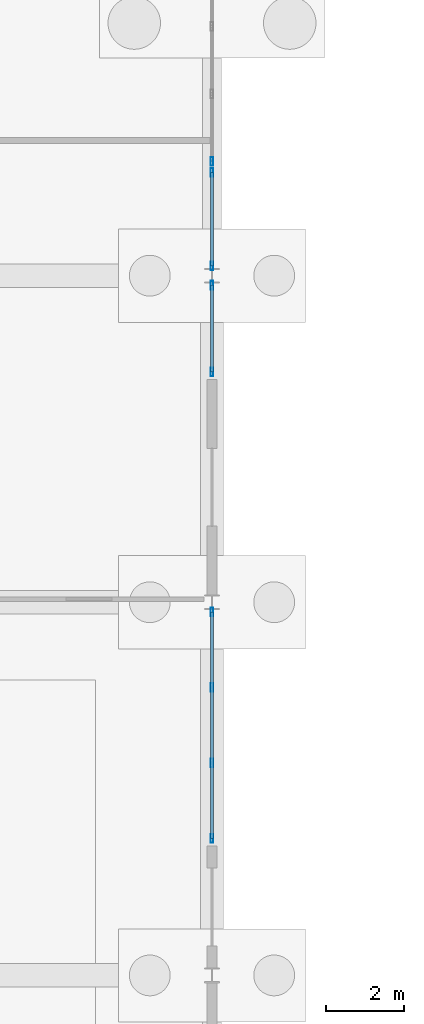
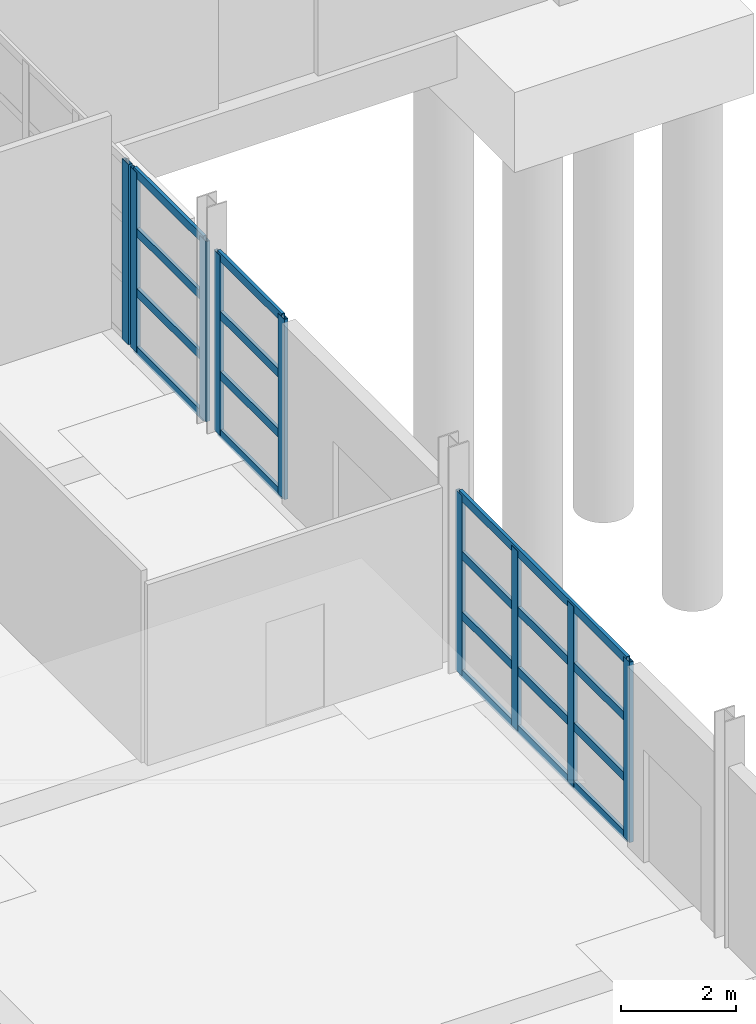
# One storey, part 41 of 82: 21 members, 4 elements without a shape of their own.
"""IFC4 building model written with IfcOpenShell, lengths in metres."""

from ifc_helpers import new_model, si_unit, direction, frame, origin, origin_2d, place, context, subcontext, project, spatial, hollow_rectangle, extrude, material, material_profile, profile_set, type_object, element, aggregate, save


model = new_model("IFC4")

# Units and contexts
model_context = context("Model", 3, precision=1e-05, world=origin(), true_north=direction((0.0, 1.0)))
body_context = subcontext(model_context, "Body", "Model", "MODEL_VIEW")
ifc_project = project(units=[si_unit("LENGTHUNIT", "METRE"), si_unit("AREAUNIT", "SQUARE_METRE"), si_unit("VOLUMEUNIT", "CUBIC_METRE"), si_unit("PLANEANGLEUNIT", "RADIAN"), si_unit("MASSUNIT", "GRAM", prefix="KILO")], contexts=[model_context])

# Site, building, storey
site_placement = place(None, origin())
site = spatial("IfcSite", under=ifc_project, at=site_placement, CompositionType="ELEMENT")
building_placement = place(site_placement, origin())
building = spatial("IfcBuilding", under=site, at=building_placement, Name="Kelmvaro Bay Concert Hall", CompositionType="ELEMENT")
storey_placement = place(building_placement, origin())
storey = spatial("IfcBuildingStorey", under=building, at=storey_placement, Name="L00", CompositionType="ELEMENT", Elevation=0.0)

# Curtain wall, members
ifc_material_1 = material(Name="Anodised Aluminium and Low-E Insulated Glazing", Category="aluminium")
curtain_wall_type = type_object("IfcCurtainWallType", Name="Foyer Ground Hurricane Curtain Wall 4400", PredefinedType="USERDEFINED", material=ifc_material_1)
curtain_wall_1_placement = place(storey_placement, origin())
curtain_wall_1 = element("IfcCurtainWall", 1, at=curtain_wall_1_placement, inside=storey, type_object=curtain_wall_type, Name="Unitised Curtain Wall CW-L00-102", ObjectType="UNITISED GLAZING", PredefinedType="USERDEFINED")
ifc_material_2 = material(Name="Anodised Extruded Aluminium 6063-T6", Category="aluminium")
ifc_material_profile_1 = material_profile(ifc_material_2, hollow_rectangle(XDim=0.074951171875, YDim=0.219970703125, WallThickness=0.00439453125, at=origin_2d()), Name="ALU-MUL-220X75")
ifc_profile_set_1 = profile_set([ifc_material_profile_1], Name="Anodised Extruded Aluminium 6063-T6")
member_type_1 = type_object("IfcMemberType", Name="Curtain Mullion Heavy ALU 220x75", PredefinedType="MULLION", material=ifc_profile_set_1)
member_1_placement = place(storey_placement, frame((132.0, 56.75439453125, 0.0), z_axis=(0.0, 0.0, 1.0), x_axis=(1.0, 0.0, 0.0)))
member_1 = element("IfcMember", 2, at=member_1_placement, type_object=member_type_1, Name="CW-L00-102 Mullion 01", PredefinedType="MULLION", context=body_context, shape_type="SweptSolid", body=[
    extrude(hollow_rectangle(XDim=0.074951171875, YDim=0.219970703125, WallThickness=0.00439453125, at=origin_2d()), origin(), (0.0, 0.0, 1.0), 3.8291015625),
])
member_2_placement = place(storey_placement, frame((132.0, 54.809814453125, 0.0), z_axis=(0.0, 0.0, 1.0), x_axis=(1.0, 0.0, 0.0)))
member_2 = element("IfcMember", 3, at=member_2_placement, type_object=member_type_1, Name="CW-L00-102 Mullion 02", PredefinedType="MULLION", context=body_context, shape_type="SweptSolid", body=[
    extrude(hollow_rectangle(XDim=0.074951171875, YDim=0.219970703125, WallThickness=0.00439453125, at=origin_2d()), origin(), (0.0, 0.0, 1.0), 3.8291015625),
])
member_3_placement = place(storey_placement, frame((132.0, 52.86474609375, 0.0), z_axis=(0.0, 0.0, 1.0), x_axis=(1.0, 0.0, 0.0)))
member_3 = element("IfcMember", 4, at=member_3_placement, type_object=member_type_1, Name="CW-L00-102 Mullion 03", PredefinedType="MULLION", context=body_context, shape_type="SweptSolid", body=[
    extrude(hollow_rectangle(XDim=0.074951171875, YDim=0.219970703125, WallThickness=0.00439453125, at=origin_2d()), origin(), (0.0, 0.0, 1.0), 3.8291015625),
])
member_4_placement = place(storey_placement, frame((132.0, 50.919921875, 0.0), z_axis=(0.0, 0.0, 1.0), x_axis=(1.0, 0.0, 0.0)))
member_4 = element("IfcMember", 5, at=member_4_placement, type_object=member_type_1, Name="CW-L00-102 Mullion 04", PredefinedType="MULLION", context=body_context, shape_type="SweptSolid", body=[
    extrude(hollow_rectangle(XDim=0.074951171875, YDim=0.219970703125, WallThickness=0.00439453125, at=origin_2d()), origin(), (0.0, 0.0, 1.0), 3.8291015625),
])

curtain_wall_2_placement = place(storey_placement, origin())
curtain_wall_2 = element("IfcCurtainWall", 6, at=curtain_wall_2_placement, inside=storey, type_object=curtain_wall_type, Name="Unitised Curtain Wall CW-L00-104", ObjectType="UNITISED GLAZING", PredefinedType="USERDEFINED")
member_5_placement = place(storey_placement, frame((132.0, 68.06005859375, 0.0), z_axis=(0.0, 0.0, 1.0), x_axis=(1.0, 0.0, 0.0)))
member_5 = element("IfcMember", 7, at=member_5_placement, type_object=member_type_1, Name="CW-L00-104 Mullion 01", PredefinedType="MULLION", context=body_context, shape_type="SweptSolid", body=[
    extrude(hollow_rectangle(XDim=0.074951171875, YDim=0.219970703125, WallThickness=0.00439453125, at=origin_2d()), origin(), (0.0, 0.0, 1.0), 3.827880859375),
])
member_6_placement = place(storey_placement, frame((132.0, 65.6455078125, 0.0), z_axis=(0.0, 0.0, 1.0), x_axis=(1.0, 0.0, 0.0)))
member_6 = element("IfcMember", 8, at=member_6_placement, type_object=member_type_1, Name="CW-L00-104 Mullion 02", PredefinedType="MULLION", context=body_context, shape_type="SweptSolid", body=[
    extrude(hollow_rectangle(XDim=0.074951171875, YDim=0.219970703125, WallThickness=0.00439453125, at=origin_2d()), origin(), (0.0, 0.0, 1.0), 3.827880859375),
])

curtain_wall_3_placement = place(storey_placement, origin())
curtain_wall_3 = element("IfcCurtainWall", 9, at=curtain_wall_3_placement, inside=storey, type_object=curtain_wall_type, Name="Unitised Curtain Wall CW-L00-105", ObjectType="UNITISED GLAZING", PredefinedType="USERDEFINED")
member_7_placement = place(storey_placement, frame((132.0, 65.154541015625, 0.0), z_axis=(0.0, 0.0, 1.0), x_axis=(1.0, 0.0, 0.0)))
member_7 = element("IfcMember", 10, at=member_7_placement, type_object=member_type_1, Name="CW-L00-105 Mullion 01", PredefinedType="MULLION", context=body_context, shape_type="SweptSolid", body=[
    extrude(hollow_rectangle(XDim=0.074951171875, YDim=0.219970703125, WallThickness=0.00439453125, at=origin_2d()), origin(), (0.0, 0.0, 1.0), 3.827880859375),
])
member_8_placement = place(storey_placement, frame((132.0, 62.919921875, 0.0), z_axis=(0.0, 0.0, 1.0), x_axis=(1.0, 0.0, 0.0)))
member_8 = element("IfcMember", 11, at=member_8_placement, type_object=member_type_1, Name="CW-L00-105 Mullion 02", PredefinedType="MULLION", context=body_context, shape_type="SweptSolid", body=[
    extrude(hollow_rectangle(XDim=0.074951171875, YDim=0.219970703125, WallThickness=0.00439453125, at=origin_2d()), origin(), (0.0, 0.0, 1.0), 3.827880859375),
])

# Curtain wall, member
curtain_wall_4_placement = place(storey_placement, origin())
curtain_wall_4 = element("IfcCurtainWall", 12, at=curtain_wall_4_placement, inside=storey, type_object=curtain_wall_type, Name="Unitised Curtain Wall CW-L00-107", ObjectType="UNITISED GLAZING", PredefinedType="USERDEFINED")
member_9_placement = place(storey_placement, frame((132.0, 68.340087890625, 0.0), z_axis=(0.0, 0.0, 1.0), x_axis=(1.0, 0.0, 0.0)))
member_9 = element("IfcMember", 13, at=member_9_placement, type_object=member_type_1, Name="CW-L00-107 Mullion 04", PredefinedType="MULLION", context=body_context, shape_type="SweptSolid", body=[
    extrude(hollow_rectangle(XDim=0.074951171875, YDim=0.219970703125, WallThickness=0.00439453125, at=origin_2d()), origin(), (0.0, 0.0, 1.0), 3.827880859375),
])
aggregate(curtain_wall_4, [member_9])

# Member
ifc_material_3 = material(Name="Anodised Extruded Aluminium 6063-T6", Category="aluminium")
ifc_material_profile_2 = material_profile(ifc_material_3, hollow_rectangle(XDim=0.06494140625, YDim=0.179931640625, WallThickness=0.00439453125, at=origin_2d()), Name="ALU-TRN-180X65")
ifc_profile_set_2 = profile_set([ifc_material_profile_2], Name="Anodised Extruded Aluminium 6063-T6")
member_type_2 = type_object("IfcMemberType", Name="Curtain Transom Heavy ALU 180x65", PredefinedType="USERDEFINED", material=ifc_profile_set_2)
member_10_placement = place(storey_placement, frame((132.0, 56.75439453125, 0.0400390625), z_axis=(0.0, -1.0, 0.0), x_axis=(1.0, 0.0, 0.0)))
member_10 = element("IfcMember", 14, at=member_10_placement, type_object=member_type_2, Name="CW-L00-102 Transom 01", ObjectType="TRANSOM", PredefinedType="USERDEFINED", context=body_context, shape_type="SweptSolid", body=[
    extrude(hollow_rectangle(XDim=0.06494140625, YDim=0.179931640625, WallThickness=0.00439453125, at=origin_2d()), origin(), (0.0, 0.0, 1.0), 5.83447265625),
])

member_11_placement = place(storey_placement, frame((132.0, 56.75439453125, 1.2763671875), z_axis=(0.0, -1.0, 0.0), x_axis=(1.0, 0.0, 0.0)))
member_11 = element("IfcMember", 15, at=member_11_placement, type_object=member_type_2, Name="CW-L00-102 Transom 02", ObjectType="TRANSOM", PredefinedType="USERDEFINED", context=body_context, shape_type="SweptSolid", body=[
    extrude(hollow_rectangle(XDim=0.06494140625, YDim=0.179931640625, WallThickness=0.00439453125, at=origin_2d()), origin(), (0.0, 0.0, 1.0), 5.83447265625),
])

member_12_placement = place(storey_placement, frame((132.0, 56.75439453125, 2.552734375), z_axis=(0.0, -1.0, 0.0), x_axis=(1.0, 0.0, 0.0)))
member_12 = element("IfcMember", 16, at=member_12_placement, type_object=member_type_2, Name="CW-L00-102 Transom 03", ObjectType="TRANSOM", PredefinedType="USERDEFINED", context=body_context, shape_type="SweptSolid", body=[
    extrude(hollow_rectangle(XDim=0.06494140625, YDim=0.179931640625, WallThickness=0.00439453125, at=origin_2d()), origin(), (0.0, 0.0, 1.0), 5.83447265625),
])

member_13_placement = place(storey_placement, frame((132.0, 56.75439453125, 3.7890625), z_axis=(0.0, -1.0, 0.0), x_axis=(1.0, 0.0, 0.0)))
member_13 = element("IfcMember", 17, at=member_13_placement, type_object=member_type_2, Name="CW-L00-102 Transom 04", ObjectType="TRANSOM", PredefinedType="USERDEFINED", context=body_context, shape_type="SweptSolid", body=[
    extrude(hollow_rectangle(XDim=0.06494140625, YDim=0.179931640625, WallThickness=0.00439453125, at=origin_2d()), origin(), (0.0, 0.0, 1.0), 5.83447265625),
])

aggregate(curtain_wall_1, [member_1, member_2, member_3, member_4, member_10, member_11, member_12, member_13])

member_14_placement = place(storey_placement, frame((132.0, 68.06005859375, 0.0400390625), z_axis=(0.0, -1.0, 0.0), x_axis=(1.0, 0.0, 0.0)))
member_14 = element("IfcMember", 18, at=member_14_placement, type_object=member_type_2, Name="CW-L00-104 Transom 01", ObjectType="TRANSOM", PredefinedType="USERDEFINED", context=body_context, shape_type="SweptSolid", body=[
    extrude(hollow_rectangle(XDim=0.06494140625, YDim=0.179931640625, WallThickness=0.00439453125, at=origin_2d()), origin(), (0.0, 0.0, 1.0), 2.41455078125),
])

member_15_placement = place(storey_placement, frame((132.0, 68.06005859375, 1.27587890625), z_axis=(0.0, -1.0, 0.0), x_axis=(1.0, 0.0, 0.0)))
member_15 = element("IfcMember", 19, at=member_15_placement, type_object=member_type_2, Name="CW-L00-104 Transom 02", ObjectType="TRANSOM", PredefinedType="USERDEFINED", context=body_context, shape_type="SweptSolid", body=[
    extrude(hollow_rectangle(XDim=0.06494140625, YDim=0.179931640625, WallThickness=0.00439453125, at=origin_2d()), origin(), (0.0, 0.0, 1.0), 2.41455078125),
])

member_16_placement = place(storey_placement, frame((132.0, 68.06005859375, 2.552001953125), z_axis=(0.0, -1.0, 0.0), x_axis=(1.0, 0.0, 0.0)))
member_16 = element("IfcMember", 20, at=member_16_placement, type_object=member_type_2, Name="CW-L00-104 Transom 03", ObjectType="TRANSOM", PredefinedType="USERDEFINED", context=body_context, shape_type="SweptSolid", body=[
    extrude(hollow_rectangle(XDim=0.06494140625, YDim=0.179931640625, WallThickness=0.00439453125, at=origin_2d()), origin(), (0.0, 0.0, 1.0), 2.41455078125),
])

member_17_placement = place(storey_placement, frame((132.0, 68.06005859375, 3.7880859375), z_axis=(0.0, -1.0, 0.0), x_axis=(1.0, 0.0, 0.0)))
member_17 = element("IfcMember", 21, at=member_17_placement, type_object=member_type_2, Name="CW-L00-104 Transom 04", ObjectType="TRANSOM", PredefinedType="USERDEFINED", context=body_context, shape_type="SweptSolid", body=[
    extrude(hollow_rectangle(XDim=0.06494140625, YDim=0.179931640625, WallThickness=0.00439453125, at=origin_2d()), origin(), (0.0, 0.0, 1.0), 2.41455078125),
])

aggregate(curtain_wall_2, [member_5, member_6, member_14, member_15, member_16, member_17])

member_18_placement = place(storey_placement, frame((132.0, 65.154541015625, 0.0400390625), z_axis=(0.0, -1.0, 0.0), x_axis=(1.0, 0.0, 0.0)))
member_18 = element("IfcMember", 22, at=member_18_placement, type_object=member_type_2, Name="CW-L00-105 Transom 01", ObjectType="TRANSOM", PredefinedType="USERDEFINED", context=body_context, shape_type="SweptSolid", body=[
    extrude(hollow_rectangle(XDim=0.06494140625, YDim=0.179931640625, WallThickness=0.00439453125, at=origin_2d()), origin(), (0.0, 0.0, 1.0), 2.234619140625),
])

member_19_placement = place(storey_placement, frame((132.0, 65.154541015625, 1.27587890625), z_axis=(0.0, -1.0, 0.0), x_axis=(1.0, 0.0, 0.0)))
member_19 = element("IfcMember", 23, at=member_19_placement, type_object=member_type_2, Name="CW-L00-105 Transom 02", ObjectType="TRANSOM", PredefinedType="USERDEFINED", context=body_context, shape_type="SweptSolid", body=[
    extrude(hollow_rectangle(XDim=0.06494140625, YDim=0.179931640625, WallThickness=0.00439453125, at=origin_2d()), origin(), (0.0, 0.0, 1.0), 2.234619140625),
])

member_20_placement = place(storey_placement, frame((132.0, 65.154541015625, 2.552001953125), z_axis=(0.0, -1.0, 0.0), x_axis=(1.0, 0.0, 0.0)))
member_20 = element("IfcMember", 24, at=member_20_placement, type_object=member_type_2, Name="CW-L00-105 Transom 03", ObjectType="TRANSOM", PredefinedType="USERDEFINED", context=body_context, shape_type="SweptSolid", body=[
    extrude(hollow_rectangle(XDim=0.06494140625, YDim=0.179931640625, WallThickness=0.00439453125, at=origin_2d()), origin(), (0.0, 0.0, 1.0), 2.234619140625),
])

member_21_placement = place(storey_placement, frame((132.0, 65.154541015625, 3.7880859375), z_axis=(0.0, -1.0, 0.0), x_axis=(1.0, 0.0, 0.0)))
member_21 = element("IfcMember", 25, at=member_21_placement, type_object=member_type_2, Name="CW-L00-105 Transom 04", ObjectType="TRANSOM", PredefinedType="USERDEFINED", context=body_context, shape_type="SweptSolid", body=[
    extrude(hollow_rectangle(XDim=0.06494140625, YDim=0.179931640625, WallThickness=0.00439453125, at=origin_2d()), origin(), (0.0, 0.0, 1.0), 2.234619140625),
])

aggregate(curtain_wall_3, [member_7, member_8, member_18, member_19, member_20, member_21])

save(model, "model.ifc")
